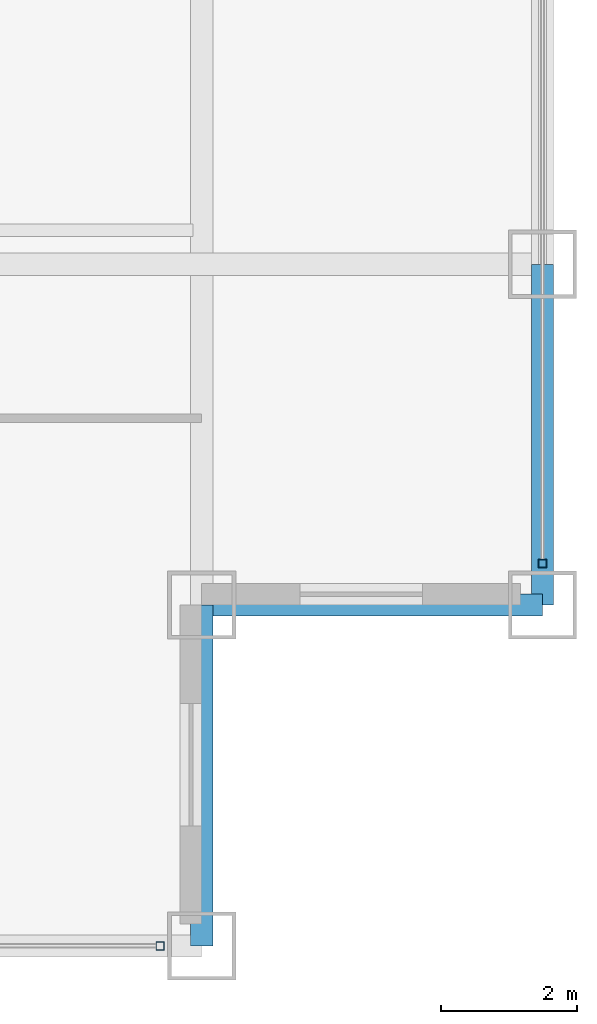
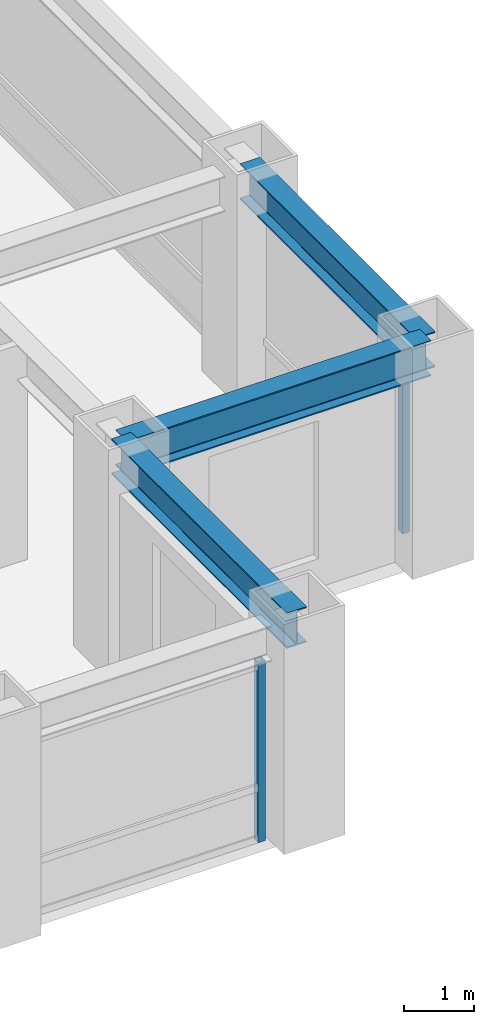
# One storey, part 8 of 24: 3 beams, 2 members, 2 elements without a shape of their own.
"""IFC4 building model written with IfcOpenShell, lengths in metres."""

from ifc_helpers import new_model, si_unit, direction, frame, origin, origin_2d, place, context, subcontext, project, spatial, hollow_rectangle, i_section, extrude, source, transform, mapped, material, material_profile, profile_set, type_object, element, aggregate, save


model = new_model("IFC4")

# Units and contexts
model_context = context("Model", 3, precision=1e-05, world=origin(), true_north=direction((0.0, 1.0)))
body_context = subcontext(model_context, "Body", "Model", "MODEL_VIEW")
ifc_project = project(units=[si_unit("LENGTHUNIT", "METRE"), si_unit("AREAUNIT", "SQUARE_METRE"), si_unit("VOLUMEUNIT", "CUBIC_METRE"), si_unit("PLANEANGLEUNIT", "RADIAN"), si_unit("MASSUNIT", "GRAM", prefix="KILO")], contexts=[model_context])

# Site, building, storey
site_placement = place(None, origin())
site = spatial("IfcSite", under=ifc_project, at=site_placement, CompositionType="ELEMENT")
building_placement = place(site_placement, origin())
building = spatial("IfcBuilding", under=site, at=building_placement, Name="Khorayat Bourse Tower", CompositionType="ELEMENT")
storey_placement = place(building_placement, frame((0.0, 0.0, 259.10009765625)))
storey = spatial("IfcBuildingStorey", under=building, at=storey_placement, Name="L61", CompositionType="ELEMENT", Elevation=259.10009765625)

# Beams
ifc_material_1 = material(Name="Steel ASTM A992 Grade 50", Category="steel")
ifc_material_profile_1 = material_profile(ifc_material_1, i_section(OverallWidth=0.324951171875, OverallDepth=0.615966796875, WebThickness=0.013916015625, FlangeThickness=0.021484375, FilletRadius=0.01611328125, at=origin_2d()), Name="W610X174")
ifc_profile_set_1 = profile_set([ifc_material_profile_1], Name="Steel ASTM A992 Grade 50")
beam_type = type_object("IfcBeamType", Name="BM-SPAN-610", PredefinedType="SPANDREL", material=ifc_profile_set_1)
shared_shape_1 = source(origin(), body_context, "Body", "SweptSolid", [
    extrude(i_section(OverallWidth=0.324951171875, OverallDepth=0.615966796875, WebThickness=0.013916015625, FlangeThickness=0.021484375, FilletRadius=0.01611328125, at=origin_2d()), origin(), (0.0, 0.0, 1.0), 5.0),
])
for number, where, z_axis, x_axis, name in (
    (1, (25.0, -30.0, 3.471923828125), (0.0, 1.0, 0.0), (-1.0, 0.0, 0.0), "L61 BM-SPAN-610 BM-L61-SPN-032"),
    (2, (25.0, -25.0, 3.471923828125), (1.0, 0.0, 0.0), (0.0, 1.0, 0.0), "L61 BM-SPAN-610 BM-L61-SPN-033"),
    (3, (30.0, -25.0, 3.471923828125), (0.0, 1.0, 0.0), (-1.0, 0.0, 0.0), "L61 BM-SPAN-610 BM-L61-SPN-034"),
):
    element("IfcBeam", number, at=place(storey_placement, frame(where, z_axis=z_axis, x_axis=x_axis)), inside=storey, type_object=beam_type, Name=name, PredefinedType="SPANDREL", context=body_context, shape_type="MappedRepresentation", body=[
        mapped(shared_shape_1, transform((0.0, 0.0, 0.0), scale=1.0)),
    ])

# Curtain wall, member
ifc_material_2 = material(Name="Aluminium EN AW-6063 T6", Category="aluminium")
curtain_wall_type = type_object("IfcCurtainWallType", Name="CW-SYS-03", PredefinedType="NOTDEFINED", material=ifc_material_2)
curtain_wall_1_placement = place(storey_placement, origin())
curtain_wall_1 = element("IfcCurtainWall", 4, at=curtain_wall_1_placement, inside=storey, type_object=curtain_wall_type, Name="L61 Curtain Wall CW-L61-S1", PredefinedType="NOTDEFINED")
ifc_material_profile_2 = material_profile(ifc_material_2, hollow_rectangle(XDim=0.1201171875, YDim=0.1201171875, WallThickness=0.0048828125, at=origin_2d()), Name="ALU 120x120x5")
ifc_profile_set_2 = profile_set([ifc_material_profile_2], Name="Aluminium EN AW-6063 T6")
member_type = type_object("IfcMemberType", Name="CWM-VERT-120", PredefinedType="MULLION", material=ifc_profile_set_2)
shared_shape_2 = source(origin(), body_context, "Body", "SweptSolid", [
    extrude(hollow_rectangle(XDim=0.1201171875, YDim=0.1201171875, WallThickness=0.0048828125, at=origin_2d()), origin(), (0.0, 0.0, 1.0), 3.1298828125),
])
member_1_placement = place(storey_placement, frame((24.389892578125, -30.0, 0.0), z_axis=(0.0, 0.0, 1.0), x_axis=(0.0, 1.0, 0.0)))
member_1 = element("IfcMember", 5, at=member_1_placement, type_object=member_type, Name="CW-L61-S1 Vertical Mullion 3", PredefinedType="MULLION", context=body_context, shape_type="MappedRepresentation", body=[
    mapped(shared_shape_2, transform((0.0, 0.0, 0.0), scale=1.0)),
])
aggregate(curtain_wall_1, [member_1])

curtain_wall_2_placement = place(storey_placement, origin())
curtain_wall_2 = element("IfcCurtainWall", 6, at=curtain_wall_2_placement, inside=storey, type_object=curtain_wall_type, Name="L61 Curtain Wall CW-L61-E1", PredefinedType="NOTDEFINED")
member_2_placement = place(storey_placement, frame((30.0, -24.389892578125, 0.0), z_axis=(0.0, 0.0, 1.0), x_axis=(-1.0, 0.0, 0.0)))
member_2 = element("IfcMember", 7, at=member_2_placement, type_object=member_type, Name="CW-L61-E1 Vertical Mullion 1", PredefinedType="MULLION", context=body_context, shape_type="MappedRepresentation", body=[
    mapped(shared_shape_2, transform((0.0, 0.0, 0.0), scale=1.0)),
])
aggregate(curtain_wall_2, [member_2])

save(model, "model.ifc")
